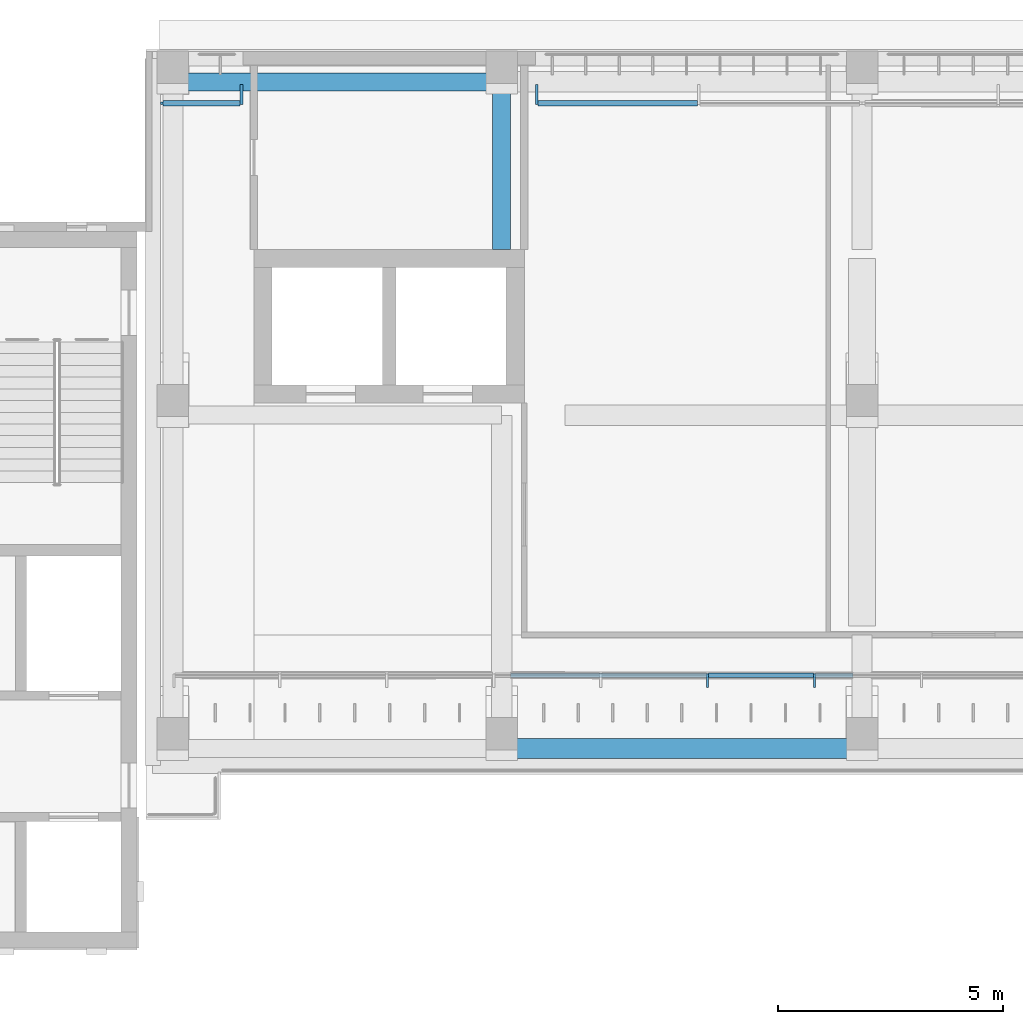
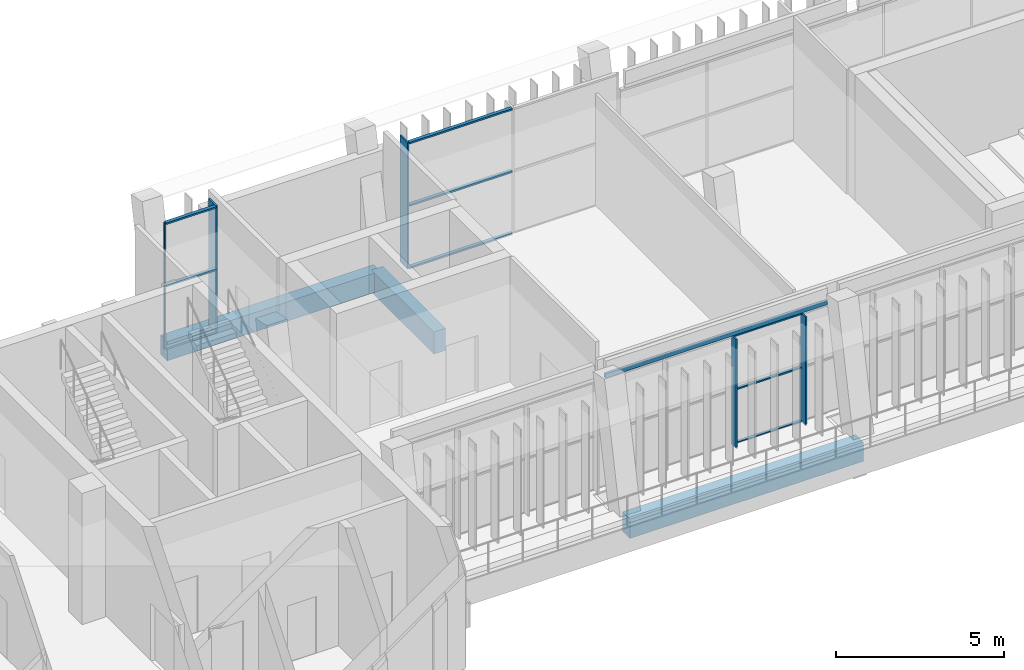
# One storey, part 23 of 74: 14 members, 4 beams, 3 elements without a shape of their own.
"""IFC4 building model written with IfcOpenShell, lengths in metres."""

from ifc_helpers import new_model, si_unit, direction, frame, origin, origin_2d, place, context, subcontext, project, spatial, rectangle, hollow_rectangle, extrude, material, material_profile, profile_set, type_object, element, aggregate, save


model = new_model("IFC4")

# Units and contexts
model_context = context("Model", 3, precision=1e-05, world=origin(), true_north=direction((0.0, 1.0)))
body_context = subcontext(model_context, "Body", "Model", "MODEL_VIEW")
ifc_project = project(units=[si_unit("LENGTHUNIT", "METRE"), si_unit("AREAUNIT", "SQUARE_METRE"), si_unit("VOLUMEUNIT", "CUBIC_METRE"), si_unit("PLANEANGLEUNIT", "RADIAN"), si_unit("MASSUNIT", "GRAM", prefix="KILO")], contexts=[model_context])

# Site, building, storey
site_placement = place(None, origin())
site = spatial("IfcSite", under=ifc_project, at=site_placement, CompositionType="ELEMENT")
building_placement = place(site_placement, origin())
building = spatial("IfcBuilding", under=site, at=building_placement, Name="Lantern Court Media Centre", CompositionType="ELEMENT")
storey_placement = place(building_placement, frame((0.0, 0.0, 19.199951171875)))
storey = spatial("IfcBuildingStorey", under=building, at=storey_placement, Name="L04", CompositionType="ELEMENT", Elevation=19.199951171875)

# Curtain wall, members
ifc_material_1 = material(Name="Curtain wall bay 2400")
curtain_wall_type_1 = type_object("IfcCurtainWallType", Name="Curtain wall bay 2400", PredefinedType="NOTDEFINED", material=ifc_material_1)
curtain_wall_1_placement = place(storey_placement, origin())
curtain_wall_1 = element("IfcCurtainWall", 1, at=curtain_wall_1_placement, inside=storey, type_object=curtain_wall_type_1, Name="Curtain wall N inner L04", PredefinedType="NOTDEFINED")
ifc_material_2 = material(Name="Anodised aluminium", Category="aluminium")
ifc_material_profile_1 = material_profile(ifc_material_2, rectangle(XDim=0.300048828125, YDim=0.050048828125, at=origin_2d()), Name="AL 50x300")
ifc_profile_set_1 = profile_set([ifc_material_profile_1], Name="Anodised aluminium")
member_type_1 = type_object("IfcMemberType", Name="Curtain wall mullion 50x300", PredefinedType="MULLION", material=ifc_profile_set_1)
member_1_placement = place(storey_placement, frame((36.569580078125, 102.030029296875, 0.0), z_axis=(0.0, 0.0, 1.0), x_axis=(0.0, 1.0, 0.0)))
member_1 = element("IfcMember", 2, at=member_1_placement, type_object=member_type_1, Name="CW2 mullion 6", PredefinedType="MULLION", context=body_context, shape_type="SweptSolid", body=[
    extrude(rectangle(XDim=0.300048828125, YDim=0.050048828125, at=origin_2d()), origin(), (0.0, 0.0, 1.0), 3.949951171875),
])
member_2_placement = place(storey_placement, frame((38.943359375, 102.030029296875, 0.0), z_axis=(0.0, 0.0, 1.0), x_axis=(0.0, 1.0, 0.0)))
member_2 = element("IfcMember", 3, at=member_2_placement, type_object=member_type_1, Name="CW2 mullion 7", PredefinedType="MULLION", context=body_context, shape_type="SweptSolid", body=[
    extrude(rectangle(XDim=0.300048828125, YDim=0.050048828125, at=origin_2d()), origin(), (0.0, 0.0, 1.0), 3.949951171875),
])

# Curtain wall, member
ifc_material_3 = material(Name="Curtain wall bay 3000")
curtain_wall_type_2 = type_object("IfcCurtainWallType", Name="Curtain wall bay 3000", PredefinedType="NOTDEFINED", material=ifc_material_3)
curtain_wall_2_placement = place(storey_placement, origin())
curtain_wall_2 = element("IfcCurtainWall", 4, at=curtain_wall_2_placement, inside=storey, type_object=curtain_wall_type_2, Name="Curtain wall N outer L04", PredefinedType="NOTDEFINED")
ifc_material_profile_2 = material_profile(ifc_material_2, rectangle(XDim=0.449951171875, YDim=0.06005859375, at=origin_2d()), Name="AL 60x450")
ifc_profile_set_2 = profile_set([ifc_material_profile_2], Name="Anodised aluminium")
member_type_2 = type_object("IfcMemberType", Name="Curtain wall mullion 60x450", PredefinedType="MULLION", material=ifc_profile_set_2)
member_3_placement = place(storey_placement, frame((26.219970703125, 115.044921875, 0.0), z_axis=(0.0, 0.0, 1.0), x_axis=(0.0, 1.0, 0.0)))
member_3 = element("IfcMember", 5, at=member_3_placement, type_object=member_type_2, Name="CW1 mullion 2", PredefinedType="MULLION", context=body_context, shape_type="SweptSolid", body=[
    extrude(rectangle(XDim=0.449951171875, YDim=0.06005859375, at=origin_2d()), origin(), (0.0, 0.0, 1.0), 4.580078125),
])

curtain_wall_3_placement = place(storey_placement, origin())
curtain_wall_3 = element("IfcCurtainWall", 6, at=curtain_wall_3_placement, inside=storey, type_object=curtain_wall_type_2, Name="Curtain wall N outer L04", PredefinedType="NOTDEFINED")
member_4_placement = place(storey_placement, frame((32.780029296875, 115.044921875, 0.0), z_axis=(0.0, 0.0, 1.0), x_axis=(0.0, 1.0, 0.0)))
member_4 = element("IfcMember", 7, at=member_4_placement, type_object=member_type_2, Name="CW1 mullion 1", PredefinedType="MULLION", context=body_context, shape_type="SweptSolid", body=[
    extrude(rectangle(XDim=0.449951171875, YDim=0.06005859375, at=origin_2d()), origin(), (0.0, 0.0, 1.0), 4.580078125),
])

# Member
ifc_material_profile_3 = material_profile(ifc_material_2, rectangle(XDim=0.06005859375, YDim=0.06005859375, at=origin_2d()), Name="AL 60x60")
ifc_profile_set_3 = profile_set([ifc_material_profile_3], Name="Anodised aluminium")
member_type_3 = type_object("IfcMemberType", Name="Curtain wall mullion 60x60", PredefinedType="MULLION", material=ifc_profile_set_3)
member_5_placement = place(storey_placement, frame((24.449951171875, 114.85009765625, 0.0), z_axis=(0.0, 0.0, 1.0), x_axis=(0.0, 1.0, 0.0)))
member_5 = element("IfcMember", 8, at=member_5_placement, type_object=member_type_3, Name="CW1 mullion 1", PredefinedType="MULLION", context=body_context, shape_type="SweptSolid", body=[
    extrude(rectangle(XDim=0.06005859375, YDim=0.06005859375, at=origin_2d()), origin(), (0.0, 0.0, 1.0), 4.580078125),
])

ifc_material_profile_4 = material_profile(ifc_material_2, rectangle(XDim=0.10009765625, YDim=0.050048828125, at=origin_2d()), Name="AL 50x100")
ifc_profile_set_4 = profile_set([ifc_material_profile_4], Name="Anodised aluminium")
member_type_4 = type_object("IfcMemberType", Name="Curtain wall transom 100x50", PredefinedType="USERDEFINED", material=ifc_profile_set_4)
member_6_placement = place(storey_placement, frame((36.594482421875, 102.14990234375, 0.025146484375), z_axis=(1.0, 0.0, 0.0), x_axis=(0.0, 1.0, 0.0)))
member_6 = element("IfcMember", 9, at=member_6_placement, type_object=member_type_4, Name="CW2 transom 6.1", ObjectType="TRANSOM", PredefinedType="USERDEFINED", context=body_context, shape_type="SweptSolid", body=[
    extrude(rectangle(XDim=0.10009765625, YDim=0.050048828125, at=origin_2d()), origin(), (0.0, 0.0, 1.0), 2.323974609375),
])

member_7_placement = place(storey_placement, frame((36.594482421875, 102.14990234375, 1.97509765625), z_axis=(1.0, 0.0, 0.0), x_axis=(0.0, 1.0, 0.0)))
member_7 = element("IfcMember", 10, at=member_7_placement, type_object=member_type_4, Name="CW2 transom 6.2", ObjectType="TRANSOM", PredefinedType="USERDEFINED", context=body_context, shape_type="SweptSolid", body=[
    extrude(rectangle(XDim=0.10009765625, YDim=0.050048828125, at=origin_2d()), origin(), (0.0, 0.0, 1.0), 2.323974609375),
])

member_8_placement = place(storey_placement, frame((36.594482421875, 102.14990234375, 3.925048828125), z_axis=(1.0, 0.0, 0.0), x_axis=(0.0, 1.0, 0.0)))
member_8 = element("IfcMember", 11, at=member_8_placement, type_object=member_type_4, Name="CW2 transom 6.3", ObjectType="TRANSOM", PredefinedType="USERDEFINED", context=body_context, shape_type="SweptSolid", body=[
    extrude(rectangle(XDim=0.10009765625, YDim=0.050048828125, at=origin_2d()), origin(), (0.0, 0.0, 1.0), 2.323974609375),
])

aggregate(curtain_wall_1, [member_1, member_2, member_6, member_7, member_8])

ifc_material_profile_5 = material_profile(ifc_material_2, rectangle(XDim=0.1201171875, YDim=0.06005859375, at=origin_2d()), Name="AL 60x120")
ifc_profile_set_5 = profile_set([ifc_material_profile_5], Name="Anodised aluminium")
member_type_5 = type_object("IfcMemberType", Name="Curtain wall transom 60x120", PredefinedType="USERDEFINED", material=ifc_profile_set_5)
member_9_placement = place(storey_placement, frame((24.47998046875, 114.85009765625, 0.030029296875), z_axis=(1.0, 0.0, 0.0), x_axis=(0.0, 1.0, 0.0)))
member_9 = element("IfcMember", 12, at=member_9_placement, type_object=member_type_5, Name="CW1 transom 1.1", ObjectType="TRANSOM", PredefinedType="USERDEFINED", context=body_context, shape_type="SweptSolid", body=[
    extrude(rectangle(XDim=0.1201171875, YDim=0.06005859375, at=origin_2d()), origin(), (0.0, 0.0, 1.0), 1.7099609375),
])

member_10_placement = place(storey_placement, frame((24.47998046875, 114.85009765625, 2.2900390625), z_axis=(1.0, 0.0, 0.0), x_axis=(0.0, 1.0, 0.0)))
member_10 = element("IfcMember", 13, at=member_10_placement, type_object=member_type_5, Name="CW1 transom 1.2", ObjectType="TRANSOM", PredefinedType="USERDEFINED", context=body_context, shape_type="SweptSolid", body=[
    extrude(rectangle(XDim=0.1201171875, YDim=0.06005859375, at=origin_2d()), origin(), (0.0, 0.0, 1.0), 1.7099609375),
])

member_11_placement = place(storey_placement, frame((24.47998046875, 114.85009765625, 4.550048828125), z_axis=(1.0, 0.0, 0.0), x_axis=(0.0, 1.0, 0.0)))
member_11 = element("IfcMember", 14, at=member_11_placement, type_object=member_type_5, Name="CW1 transom 1.3", ObjectType="TRANSOM", PredefinedType="USERDEFINED", context=body_context, shape_type="SweptSolid", body=[
    extrude(rectangle(XDim=0.1201171875, YDim=0.06005859375, at=origin_2d()), origin(), (0.0, 0.0, 1.0), 1.7099609375),
])

aggregate(curtain_wall_2, [member_5, member_3, member_9, member_10, member_11])

member_12_placement = place(storey_placement, frame((32.81005859375, 114.85009765625, 0.030029296875), z_axis=(1.0, 0.0, 0.0), x_axis=(0.0, 1.0, 0.0)))
member_12 = element("IfcMember", 15, at=member_12_placement, type_object=member_type_5, Name="CW1 transom 1.1", ObjectType="TRANSOM", PredefinedType="USERDEFINED", context=body_context, shape_type="SweptSolid", body=[
    extrude(rectangle(XDim=0.1201171875, YDim=0.06005859375, at=origin_2d()), origin(), (0.0, 0.0, 1.0), 3.534912109375),
])

member_13_placement = place(storey_placement, frame((32.81005859375, 114.85009765625, 2.2900390625), z_axis=(1.0, 0.0, 0.0), x_axis=(0.0, 1.0, 0.0)))
member_13 = element("IfcMember", 16, at=member_13_placement, type_object=member_type_5, Name="CW1 transom 1.2", ObjectType="TRANSOM", PredefinedType="USERDEFINED", context=body_context, shape_type="SweptSolid", body=[
    extrude(rectangle(XDim=0.1201171875, YDim=0.06005859375, at=origin_2d()), origin(), (0.0, 0.0, 1.0), 3.534912109375),
])

member_14_placement = place(storey_placement, frame((32.81005859375, 114.85009765625, 4.550048828125), z_axis=(1.0, 0.0, 0.0), x_axis=(0.0, 1.0, 0.0)))
member_14 = element("IfcMember", 17, at=member_14_placement, type_object=member_type_5, Name="CW1 transom 1.3", ObjectType="TRANSOM", PredefinedType="USERDEFINED", context=body_context, shape_type="SweptSolid", body=[
    extrude(rectangle(XDim=0.1201171875, YDim=0.06005859375, at=origin_2d()), origin(), (0.0, 0.0, 1.0), 3.534912109375),
])

aggregate(curtain_wall_3, [member_4, member_12, member_13, member_14])

# Beams
ifc_material_4 = material(Name="Steel S355J2 (EN 10025-2)", Category="steel")
ifc_material_profile_6 = material_profile(ifc_material_4, hollow_rectangle(XDim=0.10009765625, YDim=0.14990234375, WallThickness=0.00634765625, InnerFilletRadius=0.00634765625, OuterFilletRadius=0.009521484375, at=origin_2d()), Name="Facade head lintel RHS 150x100x6.3")
ifc_profile_set_6 = profile_set([ifc_material_profile_6], Name="Steel S355J2 (EN 10025-2)")
beam_type_1 = type_object("IfcBeamType", Name="Facade head lintel RHS 150x100x6.3", PredefinedType="BEAM", material=ifc_profile_set_6)
beam_1_placement = place(storey_placement, frame((32.199951171875, 102.14990234375, 4.025146484375), z_axis=(1.0, 0.0, 0.0), x_axis=(0.0, 1.0, 0.0)))
element("IfcBeam", 18, at=beam_1_placement, inside=storey, type_object=beam_type_1, Name="Facade head lintel N L04", PredefinedType="BEAM", context=body_context, shape_type="SweptSolid", body=[
    extrude(hollow_rectangle(XDim=0.10009765625, YDim=0.14990234375, WallThickness=0.00634765625, InnerFilletRadius=0.00634765625, OuterFilletRadius=0.009521484375, at=origin_2d()), origin(), (0.0, 0.0, 1.0), 7.60009765625),
])
ifc_material_5 = material(Name="Concrete C35", Category="concrete")
ifc_material_profile_7 = material_profile(ifc_material_5, rectangle(XDim=0.39990234375, YDim=0.699951171875, at=origin_2d()), Name="RC 400x700")
ifc_profile_set_7 = profile_set([ifc_material_profile_7], Name="Concrete C35")
beam_type_2 = type_object("IfcBeamType", Name="RC BEAM 400x700", PredefinedType="BEAM", material=ifc_profile_set_7)
beam_2_placement = place(storey_placement, frame((24.699951171875, 115.3271484375, -0.349853515625), z_axis=(1.0, 0.0, 0.0), x_axis=(0.0, 1.0, 0.0)))
element("IfcBeam", 19, at=beam_2_placement, inside=storey, type_object=beam_type_2, Name="LB-N-L04-2-0", PredefinedType="BEAM", context=body_context, shape_type="SweptSolid", body=[
    extrude(rectangle(XDim=0.39990234375, YDim=0.699951171875, at=origin_2d()), origin(), (0.0, 0.0, 1.0), 7.300048828125),
])
ifc_material_profile_8 = material_profile(ifc_material_5, rectangle(XDim=0.39990234375, YDim=0.800048828125, at=origin_2d()), Name="RC 400x800")
ifc_profile_set_8 = profile_set([ifc_material_profile_8], Name="Concrete C35")
beam_type_3 = type_object("IfcBeamType", Name="RC BEAM 400x800", PredefinedType="BEAM", material=ifc_profile_set_8)
beam_3_placement = place(storey_placement, frame((32.0, 111.60009765625, -0.39990234375), z_axis=(0.0, 1.0, 0.0), x_axis=(-1.0, 0.0, 0.0)))
element("IfcBeam", 20, at=beam_3_placement, inside=storey, type_object=beam_type_3, Name="TB-N-L04-1-2", PredefinedType="BEAM", context=body_context, shape_type="SweptSolid", body=[
    extrude(rectangle(XDim=0.39990234375, YDim=0.800048828125, at=origin_2d()), origin(), (0.0, 0.0, 1.0), 3.716552734375),
])
ifc_material_profile_9 = material_profile(ifc_material_5, rectangle(XDim=0.449951171875, YDim=0.699951171875, at=origin_2d()), Name="RC 450x700")
ifc_profile_set_9 = profile_set([ifc_material_profile_9], Name="Concrete C35")
beam_type_4 = type_object("IfcBeamType", Name="RC BEAM 450x700", PredefinedType="BEAM", material=ifc_profile_set_9)
beam_4_placement = place(storey_placement, frame((32.0, 100.527099609375, -0.349853515625), z_axis=(1.0, 0.0, 0.0), x_axis=(0.0, 1.0, 0.0)))
element("IfcBeam", 21, at=beam_4_placement, inside=storey, type_object=beam_type_4, Name="LB-N-L04-0-1", PredefinedType="BEAM", context=body_context, shape_type="SweptSolid", body=[
    extrude(rectangle(XDim=0.449951171875, YDim=0.699951171875, at=origin_2d()), origin(), (0.0, 0.0, 1.0), 8.0),
])

save(model, "model.ifc")
